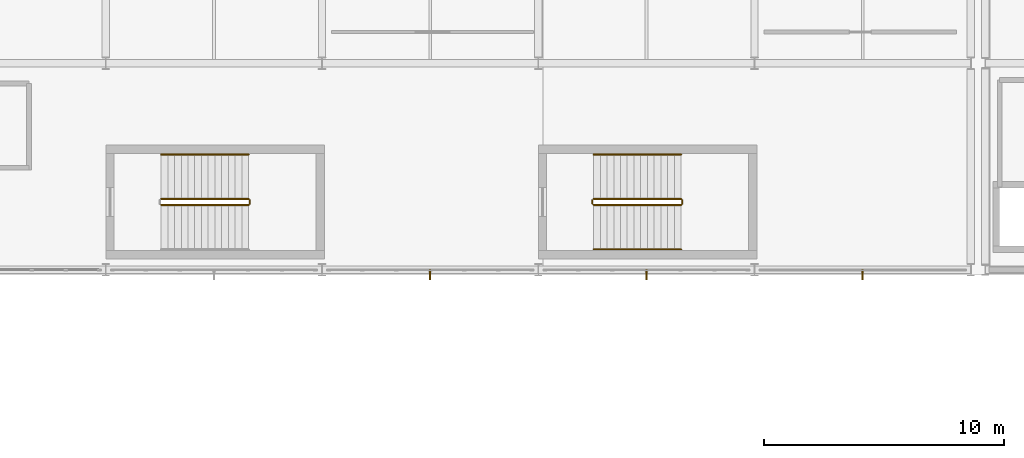
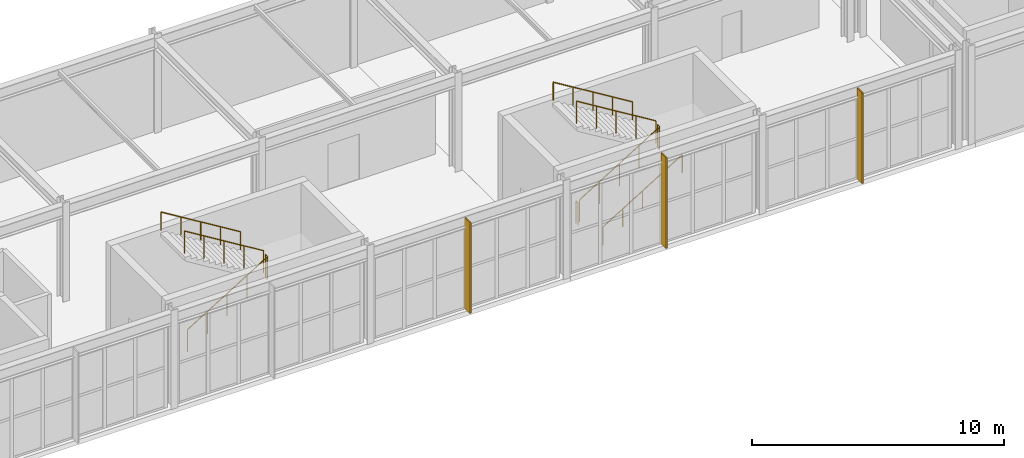
# One storey, part 106 of 112: 10 railings, 3 shading devices.
"""IFC4 building model written with IfcOpenShell, lengths in metres."""

import ifcopenshell
import ifcopenshell.guid

model = None  # the IFC model being written
_history = None  # IfcOwnerHistory: only IFC2X3 demands one
_inside = {}  # id of a spatial element -> (the spatial element, [elements in it])
_under = {}  # id of a project, library or spatial element -> (it, [spatial elements below it])
_declared = {}  # id of a project -> (the project, [libraries it declares])
_typed = {}  # id of a type object -> (the type object, [elements of that type])
_made_of = {}  # id of a material, layer set ... -> (it, [elements and type objects made of it])


def new_model(schema):
    """Start an empty IFC model of exactly this schema.

    Asked for "IFC4X3", IfcOpenShell would pick the latest addendum, in which some entities
    have other attributes; the version numbers below select the first issue.
    IFC2X3 requires an IfcOwnerHistory on every rooted entity: one is made here for all.
    """
    global model, _history
    if schema == "IFC4X3":
        model = ifcopenshell.file(schema_version=(4, 3, 0, 0))
    else:
        model = ifcopenshell.file(schema=schema)
    _inside.clear()
    _under.clear()
    _declared.clear()
    _typed.clear()
    _made_of.clear()
    _history = None
    if model.schema == "IFC2X3":
        org = make("IfcOrganization", Name="unknown")
        user = make(
            "IfcPersonAndOrganization",
            ThePerson=make("IfcPerson", FamilyName="unknown"),
            TheOrganization=org,
        )
        app = make(
            "IfcApplication",
            ApplicationDeveloper=org,
            Version="unknown",
            ApplicationFullName="unknown",
            ApplicationIdentifier="unknown",
        )
        _history = make(
            "IfcOwnerHistory",
            OwningUser=user,
            OwningApplication=app,
            ChangeAction="ADDED",
            CreationDate=0,
        )
    return model


def make(cls, **values):
    """One entity of the class cls with the attributes given. An attribute that is None is left unset."""
    return model.create_entity(
        cls, **{name: value for name, value in values.items() if value is not None}
    )


def rooted(cls, **values):
    """An entity with a GlobalId (a new one), such as an element, a storey or a relation."""
    return make(cls, GlobalId=ifcopenshell.guid.new(), OwnerHistory=_history, **values)


def si_unit(unit_type, name, prefix=None):
    """IfcSIUnit, for example si_unit("LENGTHUNIT", "METRE", prefix="MILLI")."""
    return make("IfcSIUnit", UnitType=unit_type, Prefix=prefix, Name=name)


def assignment(units):
    """IfcUnitAssignment: the units of a project."""
    return None if units is None else make("IfcUnitAssignment", Units=units)


def point(xyz):
    """IfcCartesianPoint."""
    return None if xyz is None else make("IfcCartesianPoint", Coordinates=xyz)


def direction(xyz):
    """IfcDirection."""
    return None if xyz is None else make("IfcDirection", DirectionRatios=xyz)


def frame(location, z_axis=None, x_axis=None):
    """IfcAxis2Placement3D, a coordinate frame: its origin and axes. An axis left out is left unset."""
    return make(
        "IfcAxis2Placement3D",
        Location=point(location),
        Axis=direction(z_axis),
        RefDirection=direction(x_axis),
    )


def frame_2d(location, x_axis=None):
    """IfcAxis2Placement2D, a coordinate frame in the plane: its origin and x axis."""
    return make(
        "IfcAxis2Placement2D", Location=point(location), RefDirection=direction(x_axis)
    )


def origin():
    """The frame at (0, 0, 0) with its axes left unset."""
    return frame((0.0, 0.0, 0.0))


def origin_2d():
    """The frame at (0, 0) in the plane with its x axis left unset."""
    return frame_2d((0.0, 0.0))


def place(relative_to, where):
    """IfcLocalPlacement: puts the frame where relative to a parent placement (None: the world)."""
    return make(
        "IfcLocalPlacement", PlacementRelTo=relative_to, RelativePlacement=where
    )


def context(
    kind, dimensions, precision=None, world=None, true_north=None, identifier=None
):
    """IfcGeometricRepresentationContext, for example the 3D "Model" context."""
    return make(
        "IfcGeometricRepresentationContext",
        ContextIdentifier=identifier,
        ContextType=kind,
        CoordinateSpaceDimension=dimensions,
        Precision=precision,
        WorldCoordinateSystem=world,
        TrueNorth=true_north,
    )


def subcontext(parent, identifier, kind, view, scale=None):
    """IfcGeometricRepresentationSubContext, for example "Body" below "Model"."""
    return make(
        "IfcGeometricRepresentationSubContext",
        ContextIdentifier=identifier,
        ContextType=kind,
        ParentContext=parent,
        TargetScale=scale,
        TargetView=view,
    )


def project(units=None, contexts=None):
    """IfcProject with its units and contexts."""
    return rooted(
        "IfcProject",
        Name="project",
        RepresentationContexts=contexts,
        UnitsInContext=assignment(units),
    )


def spatial(cls, under=None, at=None, **own):
    """A site, building, storey or space (cls), placed at a placement, below another one or the project."""
    s = rooted(cls, ObjectPlacement=at, **own)
    if under is not None:
        _under.setdefault(under.id(), (under, []))[1].append(s)
    return s


def profile(cls, at=None, kind="AREA", **sizes):
    """A parametric profile (cls). Its sizes go by their IFC names, for example OverallWidth=200.0."""
    return make(cls, ProfileType=kind, Position=at, **sizes)


def rectangle(**sizes):
    """IfcRectangleProfileDef."""
    return profile("IfcRectangleProfileDef", **sizes)


def circle(**sizes):
    """IfcCircleProfileDef."""
    return profile("IfcCircleProfileDef", **sizes)


def extrude(swept, where, along, depth):
    """IfcExtrudedAreaSolid: the profile swept, set in the frame where, extruded along a direction by depth."""
    return make(
        "IfcExtrudedAreaSolid",
        SweptArea=swept,
        Position=where,
        ExtrudedDirection=direction(along),
        Depth=depth,
    )


def shape(context_of_items, identifier, shape_type, items):
    """IfcShapeRepresentation: the items that make up one representation, for example the "Body"."""
    return make(
        "IfcShapeRepresentation",
        ContextOfItems=context_of_items,
        RepresentationIdentifier=identifier,
        RepresentationType=shape_type,
        Items=items,
    )


def material(Name=None, Category=None):
    """IfcMaterial."""
    return make("IfcMaterial", Name=Name, Category=Category)


def made_of(thing, what):
    """Note that an element or type object is made of a material, layer set ...; save() writes the relation."""
    if what is not None:
        _made_of.setdefault(what.id(), (what, []))[1].append(thing)
    return thing


def type_object(cls, material=None, **own):
    """A type object (cls), such as IfcWallType, which elements share."""
    return made_of(rooted(cls, **own), material)


def element(
    cls,
    number,
    at=None,
    inside=None,
    cuts=None,
    type_object=None,
    material=None,
    context=None,
    identifier="Body",
    shape_type=None,
    held_by="IfcProductDefinitionShape",
    body=None,
    shapes=None,
    **own,
):
    """One element of the class cls, such as IfcWall. Its Tag is "e" and its number.

    at: its placement. inside: the storey or other place that contains it. cuts: it is an
    opening in that element (IfcRelVoidsElement). A single representation is given by context,
    identifier, shape_type and body (its items); several are given by shapes. held_by: the class
    of the entity that holds the representations. save() writes the other relations.
    """
    e = rooted(cls, Tag="e%d" % number, ObjectPlacement=at, **own)
    if body is not None:
        shapes = [shape(context, identifier, shape_type, body)]
    if shapes is not None:
        e.Representation = make(held_by, Representations=shapes)
    if inside is not None:
        _inside.setdefault(inside.id(), (inside, []))[1].append(e)
    if cuts is not None:
        rooted(
            "IfcRelVoidsElement", RelatingBuildingElement=cuts, RelatedOpeningElement=e
        )
    if type_object is not None:
        _typed.setdefault(type_object.id(), (type_object, []))[1].append(e)
    return made_of(e, material)


def aggregate(whole, parts):
    """IfcRelAggregates: a whole, such as a stair, and the parts it consists of."""
    return rooted("IfcRelAggregates", RelatingObject=whole, RelatedObjects=parts)


def save(model, path):
    """Write the relations noted so far, then the file.

    IfcRelAggregates (storeys below a building ...), IfcRelContainedInSpatialStructure (elements
    in a storey), IfcRelDefinesByType, IfcRelAssociatesMaterial and IfcRelDeclares: one each for
    every whole, place, type object, material and project.
    """
    for whole, parts in _under.values():
        aggregate(whole, parts)
    for where, things in _inside.values():
        rooted(
            "IfcRelContainedInSpatialStructure",
            RelatedElements=things,
            RelatingStructure=where,
        )
    for kind, things in _typed.values():
        rooted("IfcRelDefinesByType", RelatedObjects=things, RelatingType=kind)
    for what, things in _made_of.values():
        rooted("IfcRelAssociatesMaterial", RelatedObjects=things, RelatingMaterial=what)
    for by, libraries in _declared.values():
        rooted("IfcRelDeclares", RelatingContext=by, RelatedDefinitions=libraries)
    model.write(path)


model = new_model("IFC4")

# Units and contexts
model_context = context("Model", 3, precision=1e-05, world=origin(), true_north=direction((0.0, 1.0)))
body_context = subcontext(model_context, "Body", "Model", "MODEL_VIEW")
ifc_project = project(units=[si_unit("LENGTHUNIT", "METRE"), si_unit("AREAUNIT", "SQUARE_METRE"), si_unit("VOLUMEUNIT", "CUBIC_METRE"), si_unit("PLANEANGLEUNIT", "RADIAN"), si_unit("MASSUNIT", "GRAM", prefix="KILO")], contexts=[model_context])

# Site, building, storey
site_placement = place(None, origin())
site = spatial("IfcSite", under=ifc_project, at=site_placement, CompositionType="ELEMENT")
building_placement = place(site_placement, origin())
building = spatial("IfcBuilding", under=site, at=building_placement, Name="Kaldris Quays Convention Centre", CompositionType="ELEMENT")
storey_placement = place(building_placement, frame((0.0, 0.0, 16.800048828125)))
storey = spatial("IfcBuildingStorey", under=building, at=storey_placement, Name="L03", CompositionType="ELEMENT", Elevation=16.800048828125)

# Railings
ifc_material_1 = material(Name="Steel S355J2", Category="steel")
railing_type_1 = type_object("IfcRailingType", Name="INTERIOR GUARDRAIL GR01", PredefinedType="GUARDRAIL", material=ifc_material_1)
railing_1_placement = place(storey_placement, frame((130.300048828125, 40.699951171875, 0.17138671875)))
element("IfcRailing", 1, at=railing_1_placement, inside=storey, type_object=railing_type_1, Name="L03 ST12 Stair Guardrail 1", PredefinedType="GUARDRAIL", context=body_context, shape_type="SweptSolid", body=[
    extrude(circle(Radius=0.02392578125, at=origin_2d()), frame((0.0, 0.0, 1.076171875), z_axis=(0.852850264322, 0.0, 0.5221555579), x_axis=(0.0, 1.0, 0.0)), (0.0, 0.0, 1.0), 4.267822265625),
    extrude(circle(Radius=0.02099609375, at=origin_2d()), origin(), (0.0, 0.0, 1.0), 1.052001953125),
    extrude(circle(Radius=0.02099609375, at=origin_2d()), frame((0.909912109375, 0.0, 0.55712890625)), (0.0, 0.0, 1.0), 1.052001953125),
    extrude(circle(Radius=0.02099609375, at=origin_2d()), frame((1.81982421875, 0.0, 1.1142578125)), (0.0, 0.0, 1.0), 1.052001953125),
    extrude(circle(Radius=0.02099609375, at=origin_2d()), frame((2.72998046875, 0.0, 1.67138671875)), (0.0, 0.0, 1.0), 1.052001953125),
    extrude(circle(Radius=0.02099609375, at=origin_2d()), frame((3.639892578125, 0.0, 2.228515625)), (0.0, 0.0, 1.0), 1.052001953125),
])
railing_2_placement = place(storey_placement, frame((133.989990234375, 40.75, 2.39990234375)))
element("IfcRailing", 2, at=railing_2_placement, inside=storey, type_object=railing_type_1, Name="L03 ST12 Stair Guardrail 2", PredefinedType="GUARDRAIL", context=body_context, shape_type="SweptSolid", body=[
    extrude(circle(Radius=0.02392578125, at=origin_2d()), frame((0.0, 0.0, 1.076171875), z_axis=(0.0, 1.0, 0.0), x_axis=(-1.0, 0.0, 0.0)), (0.0, 0.0, 1.0), 0.14990234375),
    extrude(circle(Radius=0.02099609375, at=origin_2d()), origin(), (0.0, 0.0, 1.0), 1.052001953125),
    extrude(circle(Radius=0.02099609375, at=origin_2d()), frame((0.0, 0.14990234375, 0.0)), (0.0, 0.0, 1.0), 1.052001953125),
])
railing_3_placement = place(storey_placement, frame((133.93994140625, 40.949951171875, 2.5712890625)))
element("IfcRailing", 3, at=railing_3_placement, inside=storey, type_object=railing_type_1, Name="L03 ST12 Stair Guardrail 3", PredefinedType="GUARDRAIL", context=body_context, shape_type="SweptSolid", body=[
    extrude(circle(Radius=0.02392578125, at=origin_2d()), frame((0.0, 0.0, 1.076171875), z_axis=(-0.852824790078, 0.0, 0.522197163366), x_axis=(0.0, -1.0, 0.0)), (0.0, 0.0, 1.0), 4.26806640625),
    extrude(circle(Radius=0.02099609375, at=origin_2d()), origin(), (0.0, 0.0, 1.0), 1.052001953125),
    extrude(circle(Radius=0.02099609375, at=origin_2d()), frame((-0.909912109375, 0.0, 0.55712890625)), (0.0, 0.0, 1.0), 1.052001953125),
    extrude(circle(Radius=0.02099609375, at=origin_2d()), frame((-1.81982421875, 0.0, 1.1142578125)), (0.0, 0.0, 1.0), 1.052001953125),
    extrude(circle(Radius=0.02099609375, at=origin_2d()), frame((-2.72998046875, 0.0, 1.671630859375)), (0.0, 0.0, 1.0), 1.052001953125),
    extrude(circle(Radius=0.02099609375, at=origin_2d()), frame((-3.639892578125, 0.0, 2.228759765625)), (0.0, 0.0, 1.0), 1.052001953125),
])
railing_4_placement = place(storey_placement, frame((130.25, 40.75, 0.0)))
element("IfcRailing", 4, at=railing_4_placement, inside=storey, type_object=railing_type_1, Name="L03 ST12 Stair Guardrail 4", PredefinedType="GUARDRAIL", context=body_context, shape_type="SweptSolid", body=[
    extrude(circle(Radius=0.02392578125, at=origin_2d()), frame((0.0, 0.0, 1.076171875), z_axis=(0.0, 1.0, 0.0), x_axis=(-1.0, 0.0, 0.0)), (0.0, 0.0, 1.0), 0.14990234375),
    extrude(circle(Radius=0.02099609375, at=origin_2d()), origin(), (0.0, 0.0, 1.0), 1.052001953125),
    extrude(circle(Radius=0.02099609375, at=origin_2d()), frame((0.0, 0.14990234375, 0.0)), (0.0, 0.0, 1.0), 1.052001953125),
])
railing_5_placement = place(storey_placement, frame((112.300048828125, 40.699951171875, 0.17138671875)))
element("IfcRailing", 5, at=railing_5_placement, inside=storey, type_object=railing_type_1, Name="L03 ST13 Stair Guardrail 1", PredefinedType="GUARDRAIL", context=body_context, shape_type="SweptSolid", body=[
    extrude(circle(Radius=0.02392578125, at=origin_2d()), frame((0.0, 0.0, 1.076171875), z_axis=(0.852850264322, 0.0, 0.5221555579), x_axis=(0.0, 1.0, 0.0)), (0.0, 0.0, 1.0), 4.267822265625),
    extrude(circle(Radius=0.02099609375, at=origin_2d()), origin(), (0.0, 0.0, 1.0), 1.052001953125),
    extrude(circle(Radius=0.02099609375, at=origin_2d()), frame((0.909912109375, 0.0, 0.55712890625)), (0.0, 0.0, 1.0), 1.052001953125),
    extrude(circle(Radius=0.02099609375, at=origin_2d()), frame((1.81982421875, 0.0, 1.1142578125)), (0.0, 0.0, 1.0), 1.052001953125),
    extrude(circle(Radius=0.02099609375, at=origin_2d()), frame((2.72998046875, 0.0, 1.67138671875)), (0.0, 0.0, 1.0), 1.052001953125),
    extrude(circle(Radius=0.02099609375, at=origin_2d()), frame((3.639892578125, 0.0, 2.228515625)), (0.0, 0.0, 1.0), 1.052001953125),
])
railing_6_placement = place(storey_placement, frame((115.989990234375, 40.75, 2.39990234375)))
element("IfcRailing", 6, at=railing_6_placement, inside=storey, type_object=railing_type_1, Name="L03 ST13 Stair Guardrail 2", PredefinedType="GUARDRAIL", context=body_context, shape_type="SweptSolid", body=[
    extrude(circle(Radius=0.02392578125, at=origin_2d()), frame((0.0, 0.0, 1.076171875), z_axis=(0.0, 1.0, 0.0), x_axis=(-1.0, 0.0, 0.0)), (0.0, 0.0, 1.0), 0.14990234375),
    extrude(circle(Radius=0.02099609375, at=origin_2d()), origin(), (0.0, 0.0, 1.0), 1.052001953125),
    extrude(circle(Radius=0.02099609375, at=origin_2d()), frame((0.0, 0.14990234375, 0.0)), (0.0, 0.0, 1.0), 1.052001953125),
])
railing_7_placement = place(storey_placement, frame((115.93994140625, 40.949951171875, 2.5712890625)))
element("IfcRailing", 7, at=railing_7_placement, inside=storey, type_object=railing_type_1, Name="L03 ST13 Stair Guardrail 3", PredefinedType="GUARDRAIL", context=body_context, shape_type="SweptSolid", body=[
    extrude(circle(Radius=0.02392578125, at=origin_2d()), frame((0.0, 0.0, 1.076171875), z_axis=(-0.852824790078, 0.0, 0.522197163366), x_axis=(0.0, -1.0, 0.0)), (0.0, 0.0, 1.0), 4.26806640625),
    extrude(circle(Radius=0.02099609375, at=origin_2d()), origin(), (0.0, 0.0, 1.0), 1.052001953125),
    extrude(circle(Radius=0.02099609375, at=origin_2d()), frame((-0.909912109375, 0.0, 0.55712890625)), (0.0, 0.0, 1.0), 1.052001953125),
    extrude(circle(Radius=0.02099609375, at=origin_2d()), frame((-1.81982421875, 0.0, 1.1142578125)), (0.0, 0.0, 1.0), 1.052001953125),
    extrude(circle(Radius=0.02099609375, at=origin_2d()), frame((-2.72998046875, 0.0, 1.671630859375)), (0.0, 0.0, 1.0), 1.052001953125),
    extrude(circle(Radius=0.02099609375, at=origin_2d()), frame((-3.639892578125, 0.0, 2.228759765625)), (0.0, 0.0, 1.0), 1.052001953125),
])

# Shading devices
ifc_material_2 = material(Name="Anodized aluminium AW-6060", Category="aluminium")
shading_device_type = type_object("IfcShadingDeviceType", Name="SOLAR SHADING FIN SH01", PredefinedType="USERDEFINED", material=ifc_material_2)
for number, where, z_axis, x_axis, name in (
    (8, (123.5, 37.800048828125, 0.0), (0.0, 0.0, 1.0), (1.0, 0.0, 0.0), "L03 Anodized Solar Fin 4"),
    (9, (132.5, 37.800048828125, 0.0), (0.0, 0.0, 1.0), (1.0, 0.0, 0.0), "L03 Anodized Solar Fin 5"),
    (10, (141.5, 37.800048828125, 0.0), (0.0, 0.0, 1.0), (1.0, 0.0, 0.0), "L03 Anodized Solar Fin 6"),
):
    element("IfcShadingDevice", number, at=place(storey_placement, frame(where, z_axis=z_axis, x_axis=x_axis)), inside=storey, type_object=shading_device_type, Name=name, ObjectType="SOLAR FIN", PredefinedType="USERDEFINED", context=body_context, shape_type="SweptSolid", body=[
        extrude(rectangle(XDim=0.06005859375, YDim=0.419921875, at=origin_2d()), origin(), (0.0, 0.0, 1.0), 4.39990234375),
    ])

# Railings
ifc_material_3 = material(Name="Stainless steel 1.4301", Category="steel")
railing_type_2 = type_object("IfcRailingType", Name="STAIR HANDRAIL HR01", PredefinedType="HANDRAIL", material=ifc_material_3)
railing_8_placement = place(storey_placement, frame((130.300048828125, 38.85009765625, 0.17138671875)))
element("IfcRailing", 11, at=railing_8_placement, inside=storey, type_object=railing_type_2, Name="L03 ST12 Flight Handrail 1", PredefinedType="HANDRAIL", context=body_context, shape_type="SweptSolid", body=[
    extrude(circle(Radius=0.02392578125, at=origin_2d()), frame((0.0, 0.0, 0.8759765625), z_axis=(0.852850264322, 0.0, 0.5221555579), x_axis=(0.0, 1.0, 0.0)), (0.0, 0.0, 1.0), 4.267822265625),
    extrude(circle(Radius=0.02099609375, at=origin_2d()), origin(), (0.0, 0.0, 1.0), 0.851806640625),
    extrude(circle(Radius=0.02099609375, at=origin_2d()), frame((0.909912109375, 0.0, 0.55712890625)), (0.0, 0.0, 1.0), 0.851806640625),
    extrude(circle(Radius=0.02099609375, at=origin_2d()), frame((1.81982421875, 0.0, 1.1142578125)), (0.0, 0.0, 1.0), 0.851806640625),
    extrude(circle(Radius=0.02099609375, at=origin_2d()), frame((2.72998046875, 0.0, 1.67138671875)), (0.0, 0.0, 1.0), 0.851806640625),
    extrude(circle(Radius=0.02099609375, at=origin_2d()), frame((3.639892578125, 0.0, 2.228515625)), (0.0, 0.0, 1.0), 0.851806640625),
])
for number, where, name in (
    (12, (133.93994140625, 42.800048828125, 2.5712890625), "L03 ST12 Flight Handrail 2"),
    (13, (115.93994140625, 42.800048828125, 2.5712890625), "L03 ST13 Flight Handrail 2"),
):
    element("IfcRailing", number, at=place(storey_placement, frame(where)), inside=storey, type_object=railing_type_2, Name=name, PredefinedType="HANDRAIL", context=body_context, shape_type="SweptSolid", body=[
        extrude(circle(Radius=0.02392578125, at=origin_2d()), frame((0.0, 0.0, 0.8759765625), z_axis=(-0.852824790078, 0.0, 0.522197163366), x_axis=(0.0, -1.0, 0.0)), (0.0, 0.0, 1.0), 4.26806640625),
        extrude(circle(Radius=0.02099609375, at=origin_2d()), origin(), (0.0, 0.0, 1.0), 0.851806640625),
        extrude(circle(Radius=0.02099609375, at=origin_2d()), frame((-0.909912109375, 0.0, 0.55712890625)), (0.0, 0.0, 1.0), 0.851806640625),
        extrude(circle(Radius=0.02099609375, at=origin_2d()), frame((-1.81982421875, 0.0, 1.1142578125)), (0.0, 0.0, 1.0), 0.851806640625),
        extrude(circle(Radius=0.02099609375, at=origin_2d()), frame((-2.72998046875, 0.0, 1.671630859375)), (0.0, 0.0, 1.0), 0.851806640625),
        extrude(circle(Radius=0.02099609375, at=origin_2d()), frame((-3.639892578125, 0.0, 2.228759765625)), (0.0, 0.0, 1.0), 0.851806640625),
    ])

save(model, "model.ifc")
